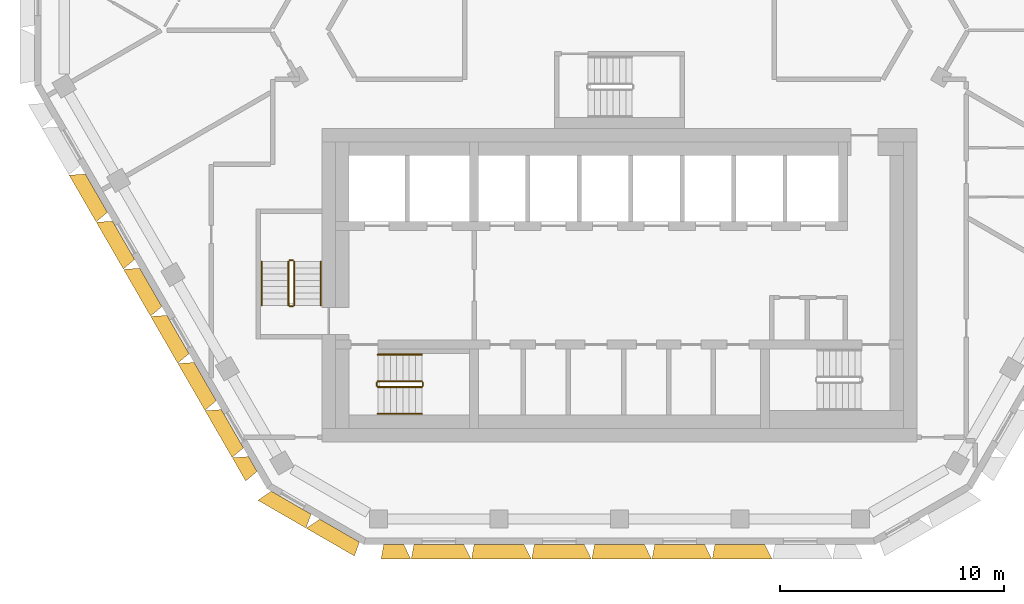
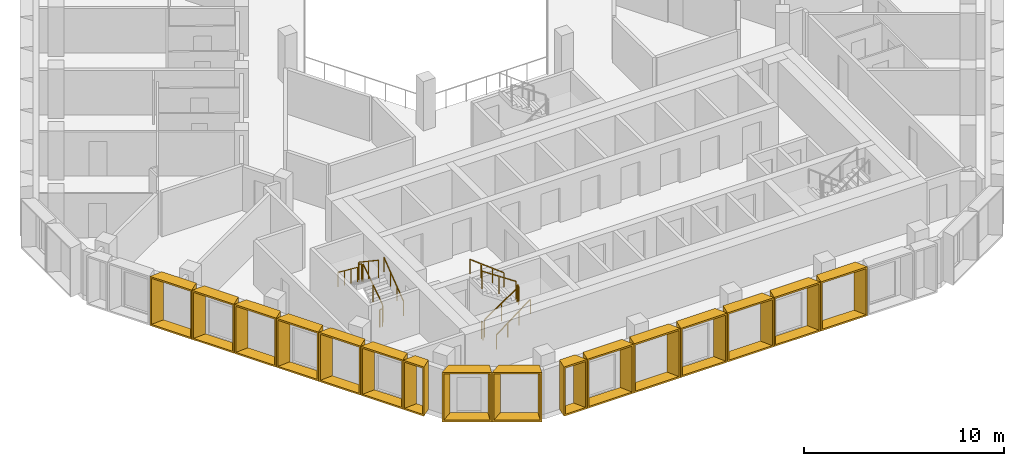
# One storey, part 11 of 15: 16 shading devices, 12 railings.
"""IFC4 building model written with IfcOpenShell, lengths in metres."""

import ifcopenshell
import ifcopenshell.guid

model = None  # the IFC model being written
_history = None  # IfcOwnerHistory: only IFC2X3 demands one
_inside = {}  # id of a spatial element -> (the spatial element, [elements in it])
_under = {}  # id of a project, library or spatial element -> (it, [spatial elements below it])
_declared = {}  # id of a project -> (the project, [libraries it declares])
_typed = {}  # id of a type object -> (the type object, [elements of that type])
_made_of = {}  # id of a material, layer set ... -> (it, [elements and type objects made of it])


def new_model(schema):
    """Start an empty IFC model of exactly this schema.

    Asked for "IFC4X3", IfcOpenShell would pick the latest addendum, in which some entities
    have other attributes; the version numbers below select the first issue.
    IFC2X3 requires an IfcOwnerHistory on every rooted entity: one is made here for all.
    """
    global model, _history
    if schema == "IFC4X3":
        model = ifcopenshell.file(schema_version=(4, 3, 0, 0))
    else:
        model = ifcopenshell.file(schema=schema)
    _inside.clear()
    _under.clear()
    _declared.clear()
    _typed.clear()
    _made_of.clear()
    _history = None
    if model.schema == "IFC2X3":
        org = make("IfcOrganization", Name="unknown")
        user = make(
            "IfcPersonAndOrganization",
            ThePerson=make("IfcPerson", FamilyName="unknown"),
            TheOrganization=org,
        )
        app = make(
            "IfcApplication",
            ApplicationDeveloper=org,
            Version="unknown",
            ApplicationFullName="unknown",
            ApplicationIdentifier="unknown",
        )
        _history = make(
            "IfcOwnerHistory",
            OwningUser=user,
            OwningApplication=app,
            ChangeAction="ADDED",
            CreationDate=0,
        )
    return model


def make(cls, **values):
    """One entity of the class cls with the attributes given. An attribute that is None is left unset."""
    return model.create_entity(
        cls, **{name: value for name, value in values.items() if value is not None}
    )


def entity(cls, *values):
    """Any entity or typed value of the class cls, its attributes in the order of the schema. None: left unset."""
    e = model.create_entity(cls)
    for i, value in enumerate(values):
        if value is not None:
            e[i] = value
    return e


def rooted(cls, **values):
    """An entity with a GlobalId (a new one), such as an element, a storey or a relation."""
    return make(cls, GlobalId=ifcopenshell.guid.new(), OwnerHistory=_history, **values)


def si_unit(unit_type, name, prefix=None):
    """IfcSIUnit, for example si_unit("LENGTHUNIT", "METRE", prefix="MILLI")."""
    return make("IfcSIUnit", UnitType=unit_type, Prefix=prefix, Name=name)


def assignment(units):
    """IfcUnitAssignment: the units of a project."""
    return None if units is None else make("IfcUnitAssignment", Units=units)


def point(xyz):
    """IfcCartesianPoint."""
    return None if xyz is None else make("IfcCartesianPoint", Coordinates=xyz)


def direction(xyz):
    """IfcDirection."""
    return None if xyz is None else make("IfcDirection", DirectionRatios=xyz)


def frame(location, z_axis=None, x_axis=None):
    """IfcAxis2Placement3D, a coordinate frame: its origin and axes. An axis left out is left unset."""
    return make(
        "IfcAxis2Placement3D",
        Location=point(location),
        Axis=direction(z_axis),
        RefDirection=direction(x_axis),
    )


def frame_2d(location, x_axis=None):
    """IfcAxis2Placement2D, a coordinate frame in the plane: its origin and x axis."""
    return make(
        "IfcAxis2Placement2D", Location=point(location), RefDirection=direction(x_axis)
    )


def origin():
    """The frame at (0, 0, 0) with its axes left unset."""
    return frame((0.0, 0.0, 0.0))


def origin_2d():
    """The frame at (0, 0) in the plane with its x axis left unset."""
    return frame_2d((0.0, 0.0))


def place(relative_to, where):
    """IfcLocalPlacement: puts the frame where relative to a parent placement (None: the world)."""
    return make(
        "IfcLocalPlacement", PlacementRelTo=relative_to, RelativePlacement=where
    )


def context(
    kind, dimensions, precision=None, world=None, true_north=None, identifier=None
):
    """IfcGeometricRepresentationContext, for example the 3D "Model" context."""
    return make(
        "IfcGeometricRepresentationContext",
        ContextIdentifier=identifier,
        ContextType=kind,
        CoordinateSpaceDimension=dimensions,
        Precision=precision,
        WorldCoordinateSystem=world,
        TrueNorth=true_north,
    )


def subcontext(parent, identifier, kind, view, scale=None):
    """IfcGeometricRepresentationSubContext, for example "Body" below "Model"."""
    return make(
        "IfcGeometricRepresentationSubContext",
        ContextIdentifier=identifier,
        ContextType=kind,
        ParentContext=parent,
        TargetScale=scale,
        TargetView=view,
    )


def project(units=None, contexts=None):
    """IfcProject with its units and contexts."""
    return rooted(
        "IfcProject",
        Name="project",
        RepresentationContexts=contexts,
        UnitsInContext=assignment(units),
    )


def spatial(cls, under=None, at=None, **own):
    """A site, building, storey or space (cls), placed at a placement, below another one or the project."""
    s = rooted(cls, ObjectPlacement=at, **own)
    if under is not None:
        _under.setdefault(under.id(), (under, []))[1].append(s)
    return s


def profile(cls, at=None, kind="AREA", **sizes):
    """A parametric profile (cls). Its sizes go by their IFC names, for example OverallWidth=200.0."""
    return make(cls, ProfileType=kind, Position=at, **sizes)


def rectangle(**sizes):
    """IfcRectangleProfileDef."""
    return profile("IfcRectangleProfileDef", **sizes)


def extrude(swept, where, along, depth):
    """IfcExtrudedAreaSolid: the profile swept, set in the frame where, extruded along a direction by depth."""
    return make(
        "IfcExtrudedAreaSolid",
        SweptArea=swept,
        Position=where,
        ExtrudedDirection=direction(along),
        Depth=depth,
    )


def shape(context_of_items, identifier, shape_type, items):
    """IfcShapeRepresentation: the items that make up one representation, for example the "Body"."""
    return make(
        "IfcShapeRepresentation",
        ContextOfItems=context_of_items,
        RepresentationIdentifier=identifier,
        RepresentationType=shape_type,
        Items=items,
    )


def source(mapping_origin, context_of_items, identifier, shape_type, items):
    """IfcRepresentationMap: a shape defined once, which mapped items show again and again."""
    return make(
        "IfcRepresentationMap",
        MappingOrigin=mapping_origin,
        MappedRepresentation=shape(context_of_items, identifier, shape_type, items),
    )


def transform(
    local_origin,
    x_axis=None,
    y_axis=None,
    z_axis=None,
    scale=None,
    scale2=None,
    scale3=None,
    uniform=True,
):
    """IfcCartesianTransformationOperator3D, or its non-uniform kind. x_axis, y_axis, z_axis: its Axis1, 2, 3."""
    if uniform:
        return make(
            "IfcCartesianTransformationOperator3D",
            Axis1=direction(x_axis),
            Axis2=direction(y_axis),
            LocalOrigin=point(local_origin),
            Scale=scale,
            Axis3=direction(z_axis),
        )
    return make(
        "IfcCartesianTransformationOperator3DnonUniform",
        Axis1=direction(x_axis),
        Axis2=direction(y_axis),
        LocalOrigin=point(local_origin),
        Scale=scale,
        Axis3=direction(z_axis),
        Scale2=scale2,
        Scale3=scale3,
    )


def mapped(mapping_source, mapping_target):
    """IfcMappedItem: shows the shape of a source again, moved by a transform."""
    return make(
        "IfcMappedItem", MappingSource=mapping_source, MappingTarget=mapping_target
    )


def material(Name=None, Category=None):
    """IfcMaterial."""
    return make("IfcMaterial", Name=Name, Category=Category)


def made_of(thing, what):
    """Note that an element or type object is made of a material, layer set ...; save() writes the relation."""
    if what is not None:
        _made_of.setdefault(what.id(), (what, []))[1].append(thing)
    return thing


def type_object(cls, material=None, **own):
    """A type object (cls), such as IfcWallType, which elements share."""
    return made_of(rooted(cls, **own), material)


def type_shapes(of_type, sources):
    """Give a type object the sources (RepresentationMaps) that its elements show as mapped items."""
    of_type.RepresentationMaps = sources


def element(
    cls,
    number,
    at=None,
    inside=None,
    cuts=None,
    type_object=None,
    material=None,
    context=None,
    identifier="Body",
    shape_type=None,
    held_by="IfcProductDefinitionShape",
    body=None,
    shapes=None,
    **own,
):
    """One element of the class cls, such as IfcWall. Its Tag is "e" and its number.

    at: its placement. inside: the storey or other place that contains it. cuts: it is an
    opening in that element (IfcRelVoidsElement). A single representation is given by context,
    identifier, shape_type and body (its items); several are given by shapes. held_by: the class
    of the entity that holds the representations. save() writes the other relations.
    """
    e = rooted(cls, Tag="e%d" % number, ObjectPlacement=at, **own)
    if body is not None:
        shapes = [shape(context, identifier, shape_type, body)]
    if shapes is not None:
        e.Representation = make(held_by, Representations=shapes)
    if inside is not None:
        _inside.setdefault(inside.id(), (inside, []))[1].append(e)
    if cuts is not None:
        rooted(
            "IfcRelVoidsElement", RelatingBuildingElement=cuts, RelatedOpeningElement=e
        )
    if type_object is not None:
        _typed.setdefault(type_object.id(), (type_object, []))[1].append(e)
    return made_of(e, material)


def aggregate(whole, parts):
    """IfcRelAggregates: a whole, such as a stair, and the parts it consists of."""
    return rooted("IfcRelAggregates", RelatingObject=whole, RelatedObjects=parts)


def save(model, path):
    """Write the relations noted so far, then the file.

    IfcRelAggregates (storeys below a building ...), IfcRelContainedInSpatialStructure (elements
    in a storey), IfcRelDefinesByType, IfcRelAssociatesMaterial and IfcRelDeclares: one each for
    every whole, place, type object, material and project.
    """
    for whole, parts in _under.values():
        aggregate(whole, parts)
    for where, things in _inside.values():
        rooted(
            "IfcRelContainedInSpatialStructure",
            RelatedElements=things,
            RelatingStructure=where,
        )
    for kind, things in _typed.values():
        rooted("IfcRelDefinesByType", RelatedObjects=things, RelatingType=kind)
    for what, things in _made_of.values():
        rooted("IfcRelAssociatesMaterial", RelatedObjects=things, RelatingMaterial=what)
    for by, libraries in _declared.values():
        rooted("IfcRelDeclares", RelatingContext=by, RelatedDefinitions=libraries)
    model.write(path)


model = new_model("IFC4")

# Units and contexts
model_context = context("Model", 3, precision=1e-05, world=origin(), true_north=direction((0.0, 1.0)))
body_context = subcontext(model_context, "Body", "Model", "MODEL_VIEW")
ifc_project = project(units=[si_unit("LENGTHUNIT", "METRE"), si_unit("AREAUNIT", "SQUARE_METRE"), si_unit("VOLUMEUNIT", "CUBIC_METRE"), si_unit("PLANEANGLEUNIT", "RADIAN"), si_unit("MASSUNIT", "GRAM", prefix="KILO")], contexts=[model_context])

# Site, building, storey
site_placement = place(None, origin())
site = spatial("IfcSite", under=ifc_project, at=site_placement, CompositionType="ELEMENT")
building_placement = place(site_placement, origin())
building = spatial("IfcBuilding", under=site, at=building_placement, Name="Beryl Residences", CompositionType="ELEMENT")
storey_placement = place(building_placement, frame((0.0, 0.0, 169.199951171875)))
storey = spatial("IfcBuildingStorey", under=building, at=storey_placement, Name="L51", CompositionType="ELEMENT", Elevation=169.199951171875)

# Shading devices
ifc_material_1 = material(Name="Aluminium pale anodised", Category="aluminium")
shading_device_type_1 = type_object("IfcShadingDeviceType", Name="FR122-65B OUTER SKIN frame 650 mm deep, splay 26/10 deg, 1220 x 3000 mm cell", PredefinedType="USERDEFINED", material=ifc_material_1)
cartesian_point_1 = entity("IfcCartesianPoint", [-0.384033203125, 0.0])
cartesian_point_2 = entity("IfcCartesianPoint", [-0.294921875, 0.10009765625])
cartesian_point_3 = entity("IfcCartesianPoint", [-0.700927734375, 0.0])
cartesian_point_4 = entity("IfcCartesianPoint", [-0.612060546875, 0.10009765625])
shared_shape_1 = source(origin(), body_context, "Body", "SweptSolid", [
    entity("IfcExtrudedAreaSolidTapered", entity("IfcArbitraryProfileDefWithVoids", "AREA", None, entity("IfcPolyline", [cartesian_point_1, entity("IfcCartesianPoint", [0.384033203125, 0.0]), entity("IfcCartesianPoint", [0.384033203125, 3.0]), entity("IfcCartesianPoint", [-0.384033203125, 3.0]), cartesian_point_1]), [entity("IfcPolyline", [cartesian_point_2, entity("IfcCartesianPoint", [0.302734375, 0.10009765625]), entity("IfcCartesianPoint", [0.302734375, 2.89990234375]), entity("IfcCartesianPoint", [-0.294921875, 2.89990234375]), cartesian_point_2])]), entity("IfcAxis2Placement3D", entity("IfcCartesianPoint", [0.0, 0.0, 0.0]), entity("IfcDirection", [0.0, 1.0, 0.0]), entity("IfcDirection", [-1.0, 0.0, 0.0])), entity("IfcDirection", [0.0, 0.0, 1.0]), 0.64990234375, entity("IfcArbitraryProfileDefWithVoids", "AREA", None, entity("IfcPolyline", [cartesian_point_3, entity("IfcCartesianPoint", [0.49853515625, 0.0]), entity("IfcCartesianPoint", [0.49853515625, 3.0]), entity("IfcCartesianPoint", [-0.700927734375, 3.0]), cartesian_point_3]), [entity("IfcPolyline", [cartesian_point_4, entity("IfcCartesianPoint", [0.41748046875, 0.10009765625]), entity("IfcCartesianPoint", [0.41748046875, 2.89990234375]), entity("IfcCartesianPoint", [-0.612060546875, 2.89990234375]), cartesian_point_4])])),
])
type_shapes(shading_device_type_1, [shared_shape_1])
shading_device_1_placement = place(storey_placement, frame((-16.39794921875, -19.9970703125, 0.0), z_axis=(0.0, 0.0, 1.0), x_axis=(-0.5, 0.866025403784, 0.0)))
element("IfcShadingDevice", 1, at=shading_device_1_placement, inside=storey, type_object=shading_device_type_1, Name="FR122-65B frame L51 SW 9", ObjectType="OUTER SKIN", PredefinedType="USERDEFINED", context=body_context, shape_type="MappedRepresentation", body=[
    mapped(shared_shape_1, transform((0.0, 0.0, 0.0))),
])
ifc_material_2 = material(Name="Aluminium pale anodised", Category="aluminium")
shading_device_type_2 = type_object("IfcShadingDeviceType", Name="FR135-65C OUTER SKIN frame 650 mm deep, splay 10/26 deg, 1350 x 3000 mm cell", PredefinedType="USERDEFINED", material=ifc_material_2)
cartesian_point_5 = entity("IfcCartesianPoint", [-0.448974609375, 0.0])
cartesian_point_6 = entity("IfcCartesianPoint", [-0.36767578125, 0.10009765625])
cartesian_point_7 = entity("IfcCartesianPoint", [-0.563720703125, 0.0])
cartesian_point_8 = entity("IfcCartesianPoint", [-0.482421875, 0.10009765625])
shared_shape_2 = source(origin(), body_context, "Body", "SweptSolid", [
    entity("IfcExtrudedAreaSolidTapered", entity("IfcArbitraryProfileDefWithVoids", "AREA", None, entity("IfcPolyline", [cartesian_point_5, entity("IfcCartesianPoint", [0.448974609375, 0.0]), entity("IfcCartesianPoint", [0.448974609375, 3.0]), entity("IfcCartesianPoint", [-0.448974609375, 3.0]), cartesian_point_5]), [entity("IfcPolyline", [cartesian_point_6, entity("IfcCartesianPoint", [0.360107421875, 0.10009765625]), entity("IfcCartesianPoint", [0.360107421875, 2.89990234375]), entity("IfcCartesianPoint", [-0.36767578125, 2.89990234375]), cartesian_point_6])]), entity("IfcAxis2Placement3D", entity("IfcCartesianPoint", [0.0, 0.0, 0.0]), entity("IfcDirection", [0.0, 1.0, 0.0]), entity("IfcDirection", [-1.0, 0.0, 0.0])), entity("IfcDirection", [0.0, 0.0, 1.0]), 0.64990234375, entity("IfcArbitraryProfileDefWithVoids", "AREA", None, entity("IfcPolyline", [cartesian_point_7, entity("IfcCartesianPoint", [0.76611328125, 0.0]), entity("IfcCartesianPoint", [0.76611328125, 3.0]), entity("IfcCartesianPoint", [-0.563720703125, 3.0]), cartesian_point_7]), [entity("IfcPolyline", [cartesian_point_8, entity("IfcCartesianPoint", [0.677001953125, 0.10009765625]), entity("IfcCartesianPoint", [0.677001953125, 2.89990234375]), entity("IfcCartesianPoint", [-0.482421875, 2.89990234375]), cartesian_point_8])])),
])
type_shapes(shading_device_type_2, [shared_shape_2])
shading_device_2_placement = place(storey_placement, frame((-10.093994140625, -23.60009765625, 0.0), z_axis=(0.0, 0.0, 1.0), x_axis=(-1.0, 0.0, 0.0)))
element("IfcShadingDevice", 2, at=shading_device_2_placement, inside=storey, type_object=shading_device_type_2, Name="FR135-65C frame L51 S 1", ObjectType="OUTER SKIN", PredefinedType="USERDEFINED", context=body_context, shape_type="MappedRepresentation", body=[
    mapped(shared_shape_2, transform((0.0, 0.0, 0.0))),
])
ifc_material_3 = material(Name="Aluminium pale anodised", Category="aluminium")
shading_device_type_3 = type_object("IfcShadingDeviceType", Name="FR243-65B OUTER SKIN frame 650 mm deep, splay 26/10 deg, 2430 x 3000 mm cell", PredefinedType="USERDEFINED", material=ifc_material_3)
cartesian_point_9 = entity("IfcCartesianPoint", [-0.989013671875, 0.0])
cartesian_point_10 = entity("IfcCartesianPoint", [-0.89990234375, 0.10009765625])
cartesian_point_11 = entity("IfcCartesianPoint", [-1.305908203125, 0.0])
cartesian_point_12 = entity("IfcCartesianPoint", [-1.217041015625, 0.10009765625])
shared_shape_3 = source(origin(), body_context, "Body", "SweptSolid", [
    entity("IfcExtrudedAreaSolidTapered", entity("IfcArbitraryProfileDefWithVoids", "AREA", None, entity("IfcPolyline", [cartesian_point_9, entity("IfcCartesianPoint", [0.989013671875, 0.0]), entity("IfcCartesianPoint", [0.989013671875, 3.0]), entity("IfcCartesianPoint", [-0.989013671875, 3.0]), cartesian_point_9]), [entity("IfcPolyline", [cartesian_point_10, entity("IfcCartesianPoint", [0.90771484375, 0.10009765625]), entity("IfcCartesianPoint", [0.90771484375, 2.89990234375]), entity("IfcCartesianPoint", [-0.89990234375, 2.89990234375]), cartesian_point_10])]), entity("IfcAxis2Placement3D", entity("IfcCartesianPoint", [0.0, 0.0, 0.0]), entity("IfcDirection", [0.0, 1.0, 0.0]), entity("IfcDirection", [-1.0, 0.0, 0.0])), entity("IfcDirection", [0.0, 0.0, 1.0]), 0.64990234375, entity("IfcArbitraryProfileDefWithVoids", "AREA", None, entity("IfcPolyline", [cartesian_point_11, entity("IfcCartesianPoint", [1.103515625, 0.0]), entity("IfcCartesianPoint", [1.103515625, 3.0]), entity("IfcCartesianPoint", [-1.305908203125, 3.0]), cartesian_point_11]), [entity("IfcPolyline", [cartesian_point_12, entity("IfcCartesianPoint", [1.0224609375, 0.10009765625]), entity("IfcCartesianPoint", [1.0224609375, 2.89990234375]), entity("IfcCartesianPoint", [-1.217041015625, 2.89990234375]), cartesian_point_12])])),
])
type_shapes(shading_device_type_3, [shared_shape_3])
for number, where, z_axis, x_axis, name in (
    (3, (-23.388916015625, -7.886962890625, 0.0), (0.0, 0.0, 1.0), (-0.5, 0.866025403784, 0.0), "FR243-65B frame L51 SW 3"),
    (4, (-22.173095703125, -9.992919921875, 0.0), (0.0, 0.0, 1.0), (-0.5, 0.866025403784, 0.0), "FR243-65B frame L51 SW 4"),
    (5, (-20.95703125, -12.09912109375, 0.0), (0.0, 0.0, 1.0), (-0.5, 0.866025403784, 0.0), "FR243-65B frame L51 SW 5"),
    (6, (-19.741943359375, -14.205078125, 0.0), (0.0, 0.0, 1.0), (-0.5, 0.866025403784, 0.0), "FR243-65B frame L51 SW 6"),
    (7, (-18.52587890625, -16.31103515625, 0.0), (0.0, 0.0, 1.0), (-0.5, 0.866025403784, 0.0), "FR243-65B frame L51 SW 7"),
    (8, (-17.31005859375, -18.41796875, 0.0), (0.0, 0.0, 1.0), (-0.5, 0.866025403784, 0.0), "FR243-65B frame L51 SW 8"),
):
    element("IfcShadingDevice", number, at=place(storey_placement, frame(where, z_axis=z_axis, x_axis=x_axis)), inside=storey, type_object=shading_device_type_3, Name=name, ObjectType="OUTER SKIN", PredefinedType="USERDEFINED", context=body_context, shape_type="MappedRepresentation", body=[
        mapped(shared_shape_3, transform((0.0, 0.0, 0.0))),
    ])
ifc_material_4 = material(Name="Aluminium pale anodised", Category="aluminium")
shading_device_type_4 = type_object("IfcShadingDeviceType", Name="FR250-65B OUTER SKIN frame 650 mm deep, splay 26/10 deg, 2500 x 3000 mm cell", PredefinedType="USERDEFINED", material=ifc_material_4)
cartesian_point_13 = entity("IfcCartesianPoint", [-1.02392578125, 0.0])
cartesian_point_14 = entity("IfcCartesianPoint", [-0.93505859375, 0.10009765625])
cartesian_point_15 = entity("IfcCartesianPoint", [-1.341064453125, 0.0])
cartesian_point_16 = entity("IfcCartesianPoint", [-1.251953125, 0.10009765625])
shared_shape_4 = source(origin(), body_context, "Body", "SweptSolid", [
    entity("IfcExtrudedAreaSolidTapered", entity("IfcArbitraryProfileDefWithVoids", "AREA", None, entity("IfcPolyline", [cartesian_point_13, entity("IfcCartesianPoint", [1.02392578125, 0.0]), entity("IfcCartesianPoint", [1.02392578125, 3.0]), entity("IfcCartesianPoint", [-1.02392578125, 3.0]), cartesian_point_13]), [entity("IfcPolyline", [cartesian_point_14, entity("IfcCartesianPoint", [0.94287109375, 0.10009765625]), entity("IfcCartesianPoint", [0.94287109375, 2.89990234375]), entity("IfcCartesianPoint", [-0.93505859375, 2.89990234375]), cartesian_point_14])]), entity("IfcAxis2Placement3D", entity("IfcCartesianPoint", [0.0, 0.0, 0.0]), entity("IfcDirection", [0.0, 1.0, 0.0]), entity("IfcDirection", [-1.0, 0.0, 0.0])), entity("IfcDirection", [0.0, 0.0, 1.0]), 0.64990234375, entity("IfcArbitraryProfileDefWithVoids", "AREA", None, entity("IfcPolyline", [cartesian_point_15, entity("IfcCartesianPoint", [1.138671875, 0.0]), entity("IfcCartesianPoint", [1.138671875, 3.0]), entity("IfcCartesianPoint", [-1.341064453125, 3.0]), cartesian_point_15]), [entity("IfcPolyline", [cartesian_point_16, entity("IfcCartesianPoint", [1.057373046875, 0.10009765625]), entity("IfcCartesianPoint", [1.057373046875, 2.89990234375]), entity("IfcCartesianPoint", [-1.251953125, 2.89990234375]), cartesian_point_16])])),
])
type_shapes(shading_device_type_4, [shared_shape_4])
for number, where, z_axis, x_axis, name in (
    (9, (-14.677978515625, -21.72509765625, 0.0), (0.0, 0.0, 1.0), (-0.866025403784, 0.5, 0.0), "FR250-65B frame L51 SW-S 1"),
    (10, (-12.513916015625, -22.97509765625, 0.0), (0.0, 0.0, 1.0), (-0.866025403784, 0.5, 0.0), "FR250-65B frame L51 SW-S 2"),
):
    element("IfcShadingDevice", number, at=place(storey_placement, frame(where, z_axis=z_axis, x_axis=x_axis)), inside=storey, type_object=shading_device_type_4, Name=name, ObjectType="OUTER SKIN", PredefinedType="USERDEFINED", context=body_context, shape_type="MappedRepresentation", body=[
        mapped(shared_shape_4, transform((0.0, 0.0, 0.0))),
    ])
ifc_material_5 = material(Name="Aluminium pale anodised", Category="aluminium")
shading_device_type_5 = type_object("IfcShadingDeviceType", Name="FR269-65C OUTER SKIN frame 650 mm deep, splay 10/26 deg, 2690 x 3000 mm cell", PredefinedType="USERDEFINED", material=ifc_material_5)
cartesian_point_17 = entity("IfcCartesianPoint", [-1.118896484375, 0.0])
cartesian_point_18 = entity("IfcCartesianPoint", [-1.037841796875, 0.10009765625])
cartesian_point_19 = entity("IfcCartesianPoint", [-1.233642578125, 0.0])
cartesian_point_20 = entity("IfcCartesianPoint", [-1.15234375, 0.10009765625])
shared_shape_5 = source(origin(), body_context, "Body", "SweptSolid", [
    entity("IfcExtrudedAreaSolidTapered", entity("IfcArbitraryProfileDefWithVoids", "AREA", None, entity("IfcPolyline", [cartesian_point_17, entity("IfcCartesianPoint", [1.118896484375, 0.0]), entity("IfcCartesianPoint", [1.118896484375, 3.0]), entity("IfcCartesianPoint", [-1.118896484375, 3.0]), cartesian_point_17]), [entity("IfcPolyline", [cartesian_point_18, entity("IfcCartesianPoint", [1.030029296875, 0.10009765625]), entity("IfcCartesianPoint", [1.030029296875, 2.89990234375]), entity("IfcCartesianPoint", [-1.037841796875, 2.89990234375]), cartesian_point_18])]), entity("IfcAxis2Placement3D", entity("IfcCartesianPoint", [0.0, 0.0, 0.0]), entity("IfcDirection", [0.0, 1.0, 0.0]), entity("IfcDirection", [-1.0, 0.0, 0.0])), entity("IfcDirection", [0.0, 0.0, 1.0]), 0.64990234375, entity("IfcArbitraryProfileDefWithVoids", "AREA", None, entity("IfcPolyline", [cartesian_point_19, entity("IfcCartesianPoint", [1.43603515625, 0.0]), entity("IfcCartesianPoint", [1.43603515625, 3.0]), entity("IfcCartesianPoint", [-1.233642578125, 3.0]), cartesian_point_19]), [entity("IfcPolyline", [cartesian_point_20, entity("IfcCartesianPoint", [1.346923828125, 0.10009765625]), entity("IfcCartesianPoint", [1.346923828125, 2.89990234375]), entity("IfcCartesianPoint", [-1.15234375, 2.89990234375]), cartesian_point_20])])),
])
type_shapes(shading_device_type_5, [shared_shape_5])
for number, where, z_axis, x_axis, name in (
    (11, (-8.074951171875, -23.60009765625, 0.0), (0.0, 0.0, 1.0), (-1.0, 0.0, 0.0), "FR269-65C frame L51 S 2"),
    (12, (-5.383056640625, -23.60009765625, 0.0), (0.0, 0.0, 1.0), (-1.0, 0.0, 0.0), "FR269-65C frame L51 S 3"),
    (13, (-2.69091796875, -23.60009765625, 0.0), (0.0, 0.0, 1.0), (-1.0, 0.0, 0.0), "FR269-65C frame L51 S 4"),
    (14, (0.0009765625, -23.60009765625, 0.0), (0.0, 0.0, 1.0), (-1.0, 0.0, 0.0), "FR269-65C frame L51 S 5"),
    (15, (2.693115234375, -23.60009765625, 0.0), (0.0, 0.0, 1.0), (-1.0, 0.0, 0.0), "FR269-65C frame L51 S 6"),
    (16, (5.385009765625, -23.60009765625, 0.0), (0.0, 0.0, 1.0), (-1.0, 0.0, 0.0), "FR269-65C frame L51 S 7"),
):
    element("IfcShadingDevice", number, at=place(storey_placement, frame(where, z_axis=z_axis, x_axis=x_axis)), inside=storey, type_object=shading_device_type_5, Name=name, ObjectType="OUTER SKIN", PredefinedType="USERDEFINED", context=body_context, shape_type="MappedRepresentation", body=[
        mapped(shared_shape_5, transform((0.0, 0.0, 0.0))),
    ])

# Railings
ifc_material_6 = material(Name="Stainless steel balustrade with glass infill", Category="steel")
railing_type_1 = type_object("IfcRailingType", Name="SG1 stair guard 1100 mm", PredefinedType="GUARDRAIL", material=ifc_material_6)
railing_1_placement = place(storey_placement, frame((-10.800048828125, -16.550048828125, 0.1875)))
element("IfcRailing", 17, at=railing_1_placement, inside=storey, type_object=railing_type_1, Name="L51 ST-1 stair guard 1", PredefinedType="GUARDRAIL", context=body_context, shape_type="SweptSolid", body=[
    extrude(rectangle(XDim=0.048095703125, YDim=0.048095703125, at=origin_2d()), frame((0.0, 0.0, 1.076171875), z_axis=(0.830902050051, 0.0, 0.556418712142), x_axis=(0.0, 1.0, 0.0)), (0.0, 0.0, 1.0), 2.35888671875),
    extrude(rectangle(XDim=0.0419921875, YDim=0.0419921875, at=origin_2d()), origin(), (0.0, 0.0, 1.0), 1.052001953125),
    extrude(rectangle(XDim=0.0419921875, YDim=0.0419921875, at=origin_2d()), frame((0.97998046875, 0.0, 0.65625)), (0.0, 0.0, 1.0), 1.052001953125),
    extrude(rectangle(XDim=0.0419921875, YDim=0.0419921875, at=origin_2d()), frame((1.9599609375, 0.0, 1.3125)), (0.0, 0.0, 1.0), 1.052001953125),
])
railing_2_placement = place(storey_placement, frame((-8.7900390625, -16.5, 1.5)))
element("IfcRailing", 18, at=railing_2_placement, inside=storey, type_object=railing_type_1, Name="L51 ST-1 stair guard 2", PredefinedType="GUARDRAIL", context=body_context, shape_type="SweptSolid", body=[
    extrude(rectangle(XDim=0.048095703125, YDim=0.048095703125, at=origin_2d()), frame((0.0, 0.0, 1.076171875), z_axis=(0.0, 1.0, 0.0), x_axis=(-1.0, 0.0, 0.0)), (0.0, 0.0, 1.0), 0.14990234375),
    extrude(rectangle(XDim=0.0419921875, YDim=0.0419921875, at=origin_2d()), origin(), (0.0, 0.0, 1.0), 1.052001953125),
    extrude(rectangle(XDim=0.0419921875, YDim=0.0419921875, at=origin_2d()), frame((0.0, 0.14990234375, 0.0)), (0.0, 0.0, 1.0), 1.052001953125),
])
railing_3_placement = place(storey_placement, frame((-8.840087890625, -16.300048828125, 1.6875)))
element("IfcRailing", 19, at=railing_3_placement, inside=storey, type_object=railing_type_1, Name="L51 ST-1 stair guard 3", PredefinedType="GUARDRAIL", context=body_context, shape_type="SweptSolid", body=[
    extrude(rectangle(XDim=0.048095703125, YDim=0.048095703125, at=origin_2d()), frame((0.0, 0.0, 1.076171875), z_axis=(-0.830902050051, 0.0, 0.556418712142), x_axis=(0.0, -1.0, 0.0)), (0.0, 0.0, 1.0), 2.35888671875),
    extrude(rectangle(XDim=0.0419921875, YDim=0.0419921875, at=origin_2d()), origin(), (0.0, 0.0, 1.0), 1.052001953125),
    extrude(rectangle(XDim=0.0419921875, YDim=0.0419921875, at=origin_2d()), frame((-0.97998046875, 0.0, 0.65625)), (0.0, 0.0, 1.0), 1.052001953125),
    extrude(rectangle(XDim=0.0419921875, YDim=0.0419921875, at=origin_2d()), frame((-1.9599609375, 0.0, 1.3125)), (0.0, 0.0, 1.0), 1.052001953125),
])
railing_4_placement = place(storey_placement, frame((-10.85009765625, -16.5, 0.0)))
element("IfcRailing", 20, at=railing_4_placement, inside=storey, type_object=railing_type_1, Name="L51 ST-1 stair guard 4", PredefinedType="GUARDRAIL", context=body_context, shape_type="SweptSolid", body=[
    extrude(rectangle(XDim=0.048095703125, YDim=0.048095703125, at=origin_2d()), frame((0.0, 0.0, 1.076171875), z_axis=(0.0, 1.0, 0.0), x_axis=(-1.0, 0.0, 0.0)), (0.0, 0.0, 1.0), 0.14990234375),
    extrude(rectangle(XDim=0.0419921875, YDim=0.0419921875, at=origin_2d()), origin(), (0.0, 0.0, 1.0), 1.052001953125),
    extrude(rectangle(XDim=0.0419921875, YDim=0.0419921875, at=origin_2d()), frame((0.0, 0.14990234375, 0.0)), (0.0, 0.0, 1.0), 1.052001953125),
])
railing_5_placement = place(storey_placement, frame((-14.550048828125, -12.89990234375, 0.1875)))
element("IfcRailing", 21, at=railing_5_placement, inside=storey, type_object=railing_type_1, Name="L51 ST-2 stair guard 1", PredefinedType="GUARDRAIL", context=body_context, shape_type="SweptSolid", body=[
    extrude(rectangle(XDim=0.048095703125, YDim=0.048095703125, at=origin_2d()), frame((0.0, 0.0, 1.076171875), z_axis=(0.0, 0.830902050051, 0.556418712142), x_axis=(-1.0, 0.0, 0.0)), (0.0, 0.0, 1.0), 2.35888671875),
    extrude(rectangle(XDim=0.0419921875, YDim=0.0419921875, at=origin_2d()), origin(), (0.0, 0.0, 1.0), 1.052001953125),
    extrude(rectangle(XDim=0.0419921875, YDim=0.0419921875, at=origin_2d()), frame((0.0, 0.97998046875, 0.65625)), (0.0, 0.0, 1.0), 1.052001953125),
    extrude(rectangle(XDim=0.0419921875, YDim=0.0419921875, at=origin_2d()), frame((0.0, 1.9599609375, 1.3125)), (0.0, 0.0, 1.0), 1.052001953125),
])
railing_6_placement = place(storey_placement, frame((-14.60009765625, -10.889892578125, 1.5)))
element("IfcRailing", 22, at=railing_6_placement, inside=storey, type_object=railing_type_1, Name="L51 ST-2 stair guard 2", PredefinedType="GUARDRAIL", context=body_context, shape_type="SweptSolid", body=[
    extrude(rectangle(XDim=0.048095703125, YDim=0.048095703125, at=origin_2d()), frame((0.0, 0.0, 1.076171875), z_axis=(-1.0, 0.0, 0.0), x_axis=(0.0, -1.0, 0.0)), (0.0, 0.0, 1.0), 0.14990234375),
    extrude(rectangle(XDim=0.0419921875, YDim=0.0419921875, at=origin_2d()), origin(), (0.0, 0.0, 1.0), 1.052001953125),
    extrude(rectangle(XDim=0.0419921875, YDim=0.0419921875, at=origin_2d()), frame((-0.14990234375, 0.0, 0.0)), (0.0, 0.0, 1.0), 1.052001953125),
])
railing_7_placement = place(storey_placement, frame((-14.800048828125, -10.93994140625, 1.6875)))
element("IfcRailing", 23, at=railing_7_placement, inside=storey, type_object=railing_type_1, Name="L51 ST-2 stair guard 3", PredefinedType="GUARDRAIL", context=body_context, shape_type="SweptSolid", body=[
    extrude(rectangle(XDim=0.048095703125, YDim=0.048095703125, at=origin_2d()), frame((0.0, 0.0, 1.076171875), z_axis=(0.0, -0.830902050051, 0.556418712142), x_axis=(1.0, 0.0, 0.0)), (0.0, 0.0, 1.0), 2.35888671875),
    extrude(rectangle(XDim=0.0419921875, YDim=0.0419921875, at=origin_2d()), origin(), (0.0, 0.0, 1.0), 1.052001953125),
    extrude(rectangle(XDim=0.0419921875, YDim=0.0419921875, at=origin_2d()), frame((0.0, -0.97998046875, 0.65625)), (0.0, 0.0, 1.0), 1.052001953125),
    extrude(rectangle(XDim=0.0419921875, YDim=0.0419921875, at=origin_2d()), frame((0.0, -1.9599609375, 1.3125)), (0.0, 0.0, 1.0), 1.052001953125),
])
railing_8_placement = place(storey_placement, frame((-14.60009765625, -12.949951171875, 0.0)))
element("IfcRailing", 24, at=railing_8_placement, inside=storey, type_object=railing_type_1, Name="L51 ST-2 stair guard 4", PredefinedType="GUARDRAIL", context=body_context, shape_type="SweptSolid", body=[
    extrude(rectangle(XDim=0.048095703125, YDim=0.048095703125, at=origin_2d()), frame((0.0, 0.0, 1.076171875), z_axis=(-1.0, 0.0, 0.0), x_axis=(0.0, -1.0, 0.0)), (0.0, 0.0, 1.0), 0.14990234375),
    extrude(rectangle(XDim=0.0419921875, YDim=0.0419921875, at=origin_2d()), origin(), (0.0, 0.0, 1.0), 1.052001953125),
    extrude(rectangle(XDim=0.0419921875, YDim=0.0419921875, at=origin_2d()), frame((-0.14990234375, 0.0, 0.0)), (0.0, 0.0, 1.0), 1.052001953125),
])
ifc_material_7 = material(Name="Stainless steel handrail", Category="steel")
railing_type_2 = type_object("IfcRailingType", Name="SRL1 stair handrail 900 mm", PredefinedType="HANDRAIL", material=ifc_material_7)
railing_9_placement = place(storey_placement, frame((-10.800048828125, -17.75, 0.1875)))
element("IfcRailing", 25, at=railing_9_placement, inside=storey, type_object=railing_type_2, Name="L51 ST-1 stair handrail 1", PredefinedType="HANDRAIL", context=body_context, shape_type="SweptSolid", body=[
    extrude(rectangle(XDim=0.048095703125, YDim=0.048095703125, at=origin_2d()), frame((0.0, 0.0, 0.8759765625), z_axis=(0.794121922505, 0.0, 0.607758481798), x_axis=(0.0, 1.0, 0.0)), (0.0, 0.0, 1.0), 2.468017578125),
    extrude(rectangle(XDim=0.0419921875, YDim=0.0419921875, at=origin_2d()), origin(), (0.0, 0.0, 1.0), 0.851806640625),
    extrude(rectangle(XDim=0.0419921875, YDim=0.0419921875, at=origin_2d()), frame((0.6533203125, 0.0, 0.5)), (0.0, 0.0, 1.0), 0.851806640625),
    extrude(rectangle(XDim=0.0419921875, YDim=0.0419921875, at=origin_2d()), frame((1.306640625, 0.0, 1.0)), (0.0, 0.0, 1.0), 0.851806640625),
    extrude(rectangle(XDim=0.0419921875, YDim=0.0419921875, at=origin_2d()), frame((1.9599609375, 0.0, 1.5)), (0.0, 0.0, 1.0), 0.851806640625),
])
railing_10_placement = place(storey_placement, frame((-8.840087890625, -15.10009765625, 1.6875)))
element("IfcRailing", 26, at=railing_10_placement, inside=storey, type_object=railing_type_2, Name="L51 ST-1 stair handrail 2", PredefinedType="HANDRAIL", context=body_context, shape_type="SweptSolid", body=[
    extrude(rectangle(XDim=0.048095703125, YDim=0.048095703125, at=origin_2d()), frame((0.0, 0.0, 0.8759765625), z_axis=(-0.794121922505, 0.0, 0.607758481798), x_axis=(0.0, -1.0, 0.0)), (0.0, 0.0, 1.0), 2.468017578125),
    extrude(rectangle(XDim=0.0419921875, YDim=0.0419921875, at=origin_2d()), origin(), (0.0, 0.0, 1.0), 0.851806640625),
    extrude(rectangle(XDim=0.0419921875, YDim=0.0419921875, at=origin_2d()), frame((-0.6533203125, 0.0, 0.5)), (0.0, 0.0, 1.0), 0.851806640625),
    extrude(rectangle(XDim=0.0419921875, YDim=0.0419921875, at=origin_2d()), frame((-1.306640625, 0.0, 1.0)), (0.0, 0.0, 1.0), 0.851806640625),
    extrude(rectangle(XDim=0.0419921875, YDim=0.0419921875, at=origin_2d()), frame((-1.9599609375, 0.0, 1.5)), (0.0, 0.0, 1.0), 0.851806640625),
])
railing_11_placement = place(storey_placement, frame((-13.35009765625, -12.89990234375, 0.1875)))
element("IfcRailing", 27, at=railing_11_placement, inside=storey, type_object=railing_type_2, Name="L51 ST-2 stair handrail 1", PredefinedType="HANDRAIL", context=body_context, shape_type="SweptSolid", body=[
    extrude(rectangle(XDim=0.048095703125, YDim=0.048095703125, at=origin_2d()), frame((0.0, 0.0, 0.8759765625), z_axis=(0.0, 0.794121922505, 0.607758481798), x_axis=(-1.0, 0.0, 0.0)), (0.0, 0.0, 1.0), 2.468017578125),
    extrude(rectangle(XDim=0.0419921875, YDim=0.0419921875, at=origin_2d()), origin(), (0.0, 0.0, 1.0), 0.851806640625),
    extrude(rectangle(XDim=0.0419921875, YDim=0.0419921875, at=origin_2d()), frame((0.0, 0.6533203125, 0.5)), (0.0, 0.0, 1.0), 0.851806640625),
    extrude(rectangle(XDim=0.0419921875, YDim=0.0419921875, at=origin_2d()), frame((0.0, 1.306640625, 1.0)), (0.0, 0.0, 1.0), 0.851806640625),
    extrude(rectangle(XDim=0.0419921875, YDim=0.0419921875, at=origin_2d()), frame((0.0, 1.9599609375, 1.5)), (0.0, 0.0, 1.0), 0.851806640625),
])
railing_12_placement = place(storey_placement, frame((-16.0, -10.93994140625, 1.6875)))
element("IfcRailing", 28, at=railing_12_placement, inside=storey, type_object=railing_type_2, Name="L51 ST-2 stair handrail 2", PredefinedType="HANDRAIL", context=body_context, shape_type="SweptSolid", body=[
    extrude(rectangle(XDim=0.048095703125, YDim=0.048095703125, at=origin_2d()), frame((0.0, 0.0, 0.8759765625), z_axis=(0.0, -0.794121922505, 0.607758481798), x_axis=(1.0, 0.0, 0.0)), (0.0, 0.0, 1.0), 2.468017578125),
    extrude(rectangle(XDim=0.0419921875, YDim=0.0419921875, at=origin_2d()), origin(), (0.0, 0.0, 1.0), 0.851806640625),
    extrude(rectangle(XDim=0.0419921875, YDim=0.0419921875, at=origin_2d()), frame((0.0, -0.6533203125, 0.5)), (0.0, 0.0, 1.0), 0.851806640625),
    extrude(rectangle(XDim=0.0419921875, YDim=0.0419921875, at=origin_2d()), frame((0.0, -1.306640625, 1.0)), (0.0, 0.0, 1.0), 0.851806640625),
    extrude(rectangle(XDim=0.0419921875, YDim=0.0419921875, at=origin_2d()), frame((0.0, -1.9599609375, 1.5)), (0.0, 0.0, 1.0), 0.851806640625),
])

save(model, "model.ifc")
